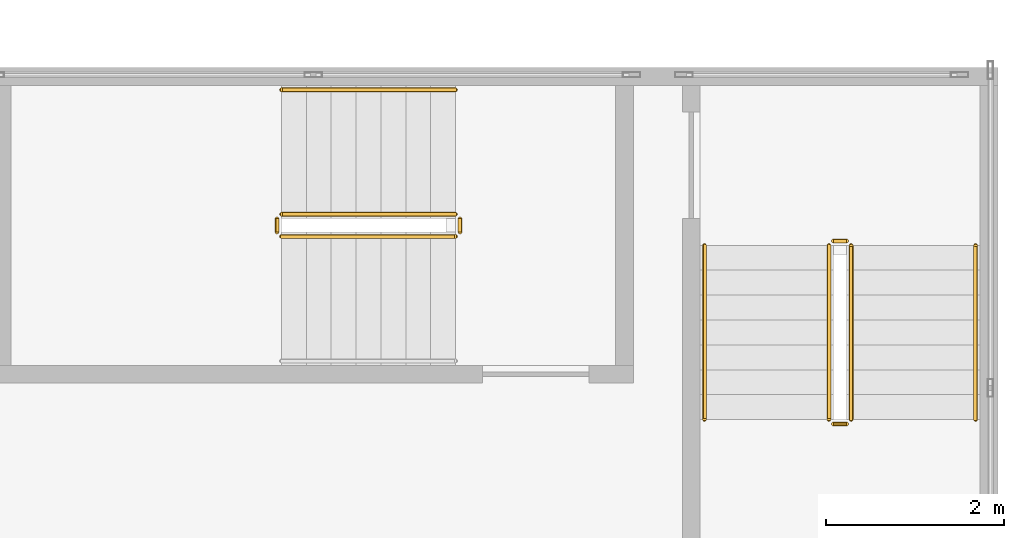
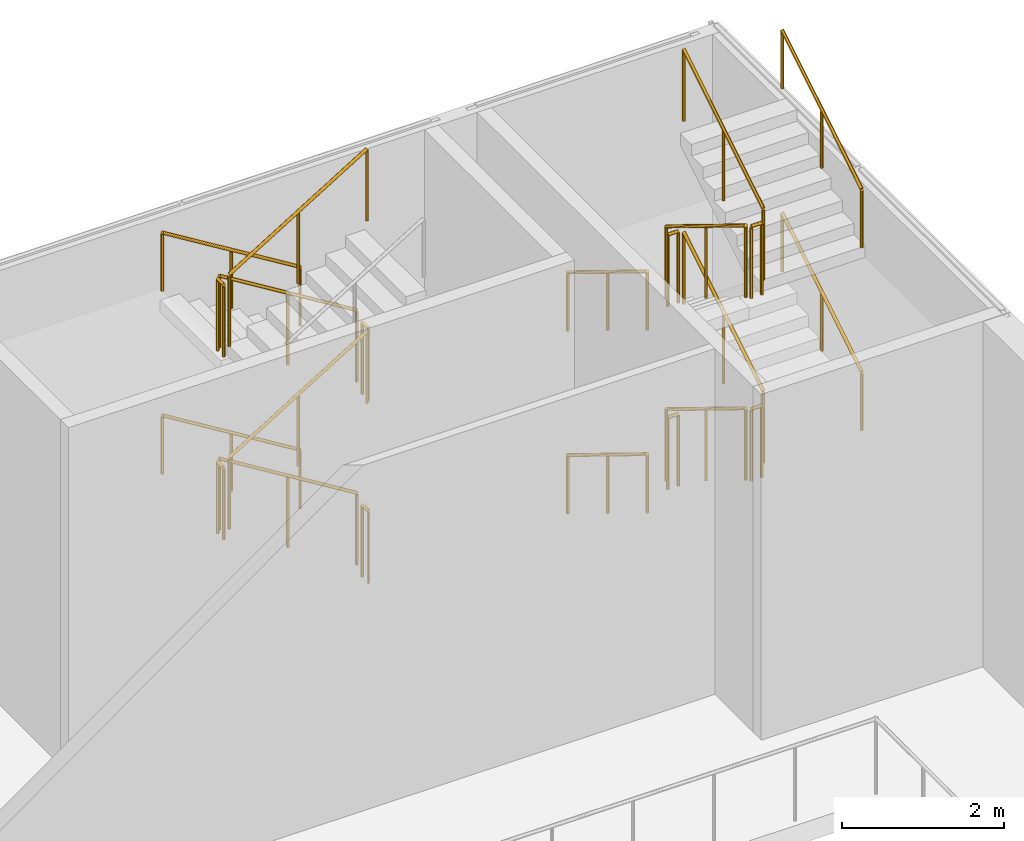
# One storey, part 23 of 23: 22 railings.
"""IFC4 building model written with IfcOpenShell, lengths in metres."""

from ifc_helpers import new_model, si_unit, direction, frame, origin, origin_2d, place, context, subcontext, project, spatial, circle, extrude, source, transform, mapped, material, type_object, element, save


model = new_model("IFC4")

# Units and contexts
model_context = context("Model", 3, precision=1e-05, world=origin(), true_north=direction((0.0, 1.0)))
body_context = subcontext(model_context, "Body", "Model", "MODEL_VIEW")
ifc_project = project(units=[si_unit("LENGTHUNIT", "METRE"), si_unit("AREAUNIT", "SQUARE_METRE"), si_unit("VOLUMEUNIT", "CUBIC_METRE"), si_unit("PLANEANGLEUNIT", "RADIAN"), si_unit("MASSUNIT", "GRAM", prefix="KILO")], contexts=[model_context])

# Site, building, storey
site_placement = place(None, origin())
site = spatial("IfcSite", under=ifc_project, at=site_placement, CompositionType="ELEMENT")
building_placement = place(site_placement, origin())
building = spatial("IfcBuilding", under=site, at=building_placement, Name="Khomas Fold Tower", CompositionType="ELEMENT")
storey_placement = place(building_placement, frame((0.0, 0.0, 13.0)))
storey = spatial("IfcBuildingStorey", under=building, at=storey_placement, Name="L02", CompositionType="ELEMENT", Elevation=13.0)

# Railings
ifc_material_1 = material(Name="Steel balustrade", Category="steel")
railing_type_1 = type_object("IfcRailingType", Name="Stair guard", PredefinedType="GUARDRAIL", material=ifc_material_1)
shared_shape_1 = source(origin(), body_context, "Body", "SweptSolid", [
    extrude(circle(Radius=0.02392578125, at=origin_2d()), frame((0.0, 0.0, 1.076171875), z_axis=(0.852240978134, 0.0, 0.523149419562), x_axis=(0.0, 1.0, 0.0)), (0.0, 0.0, 1.0), 2.2998046875),
    extrude(circle(Radius=0.02099609375, at=origin_2d()), origin(), (0.0, 0.0, 1.0), 1.052001953125),
    extrude(circle(Radius=0.02099609375, at=origin_2d()), frame((0.97998046875, 0.0, 0.6015625)), (0.0, 0.0, 1.0), 1.052001953125),
    extrude(circle(Radius=0.02099609375, at=origin_2d()), frame((1.9599609375, 0.0, 1.203125)), (0.0, 0.0, 1.0), 1.052001953125),
])
for number, where, name in (
    (1, (72.93994140625, 52.10009765625, 1.546875), "L02 PS5 stair guard 3"),
    (2, (72.93994140625, 52.10009765625, 4.296875), "L02 PS5 stair guard 7"),
):
    element("IfcRailing", number, at=place(storey_placement, frame(where)), inside=storey, type_object=railing_type_1, Name=name, PredefinedType="GUARDRAIL", context=body_context, shape_type="MappedRepresentation", body=[
        mapped(shared_shape_1, transform((0.0, 0.0, 0.0))),
    ])
shared_shape_2 = source(origin(), body_context, "Body", "SweptSolid", [
    extrude(circle(Radius=0.02392578125, at=origin_2d()), frame((0.0, 0.0, 1.076171875), z_axis=(-0.852240978134, 0.0, 0.523149419562), x_axis=(0.0, -1.0, 0.0)), (0.0, 0.0, 1.0), 2.2998046875),
    extrude(circle(Radius=0.02099609375, at=origin_2d()), origin(), (0.0, 0.0, 1.0), 1.052001953125),
    extrude(circle(Radius=0.02099609375, at=origin_2d()), frame((-0.97998046875, 0.0, 0.6015625)), (0.0, 0.0, 1.0), 1.052001953125),
    extrude(circle(Radius=0.02099609375, at=origin_2d()), frame((-1.9599609375, 0.0, 1.203125)), (0.0, 0.0, 1.0), 1.052001953125),
])
for number, where, name in (
    (3, (74.89990234375, 52.35009765625, 0.171875), "L02 PS5 stair guard 1"),
    (4, (74.89990234375, 52.35009765625, 2.921875), "L02 PS5 stair guard 5"),
):
    element("IfcRailing", number, at=place(storey_placement, frame(where)), inside=storey, type_object=railing_type_1, Name=name, PredefinedType="GUARDRAIL", context=body_context, shape_type="MappedRepresentation", body=[
        mapped(shared_shape_2, transform((0.0, 0.0, 0.0))),
    ])
ifc_material_2 = material(Name="Steel handrail", Category="steel")
railing_type_2 = type_object("IfcRailingType", Name="Stair handrail", PredefinedType="HANDRAIL", material=ifc_material_2)
shared_shape_3 = source(origin(), body_context, "Body", "SweptSolid", [
    extrude(circle(Radius=0.02392578125, at=origin_2d()), frame((0.0, 0.0, 0.8759765625), z_axis=(-0.852240978134, 0.0, 0.523149419562), x_axis=(0.0, -1.0, 0.0)), (0.0, 0.0, 1.0), 2.2998046875),
    extrude(circle(Radius=0.02099609375, at=origin_2d()), origin(), (0.0, 0.0, 1.0), 0.851806640625),
    extrude(circle(Radius=0.02099609375, at=origin_2d()), frame((-0.97998046875, 0.0, 0.6015625)), (0.0, 0.0, 1.0), 0.851806640625),
    extrude(circle(Radius=0.02099609375, at=origin_2d()), frame((-1.9599609375, 0.0, 1.203125)), (0.0, 0.0, 1.0), 0.851806640625),
])
for number, where, name in (
    (5, (74.89990234375, 53.75, 0.171875), "L02 PS5 stair handrail 1"),
    (6, (74.89990234375, 53.75, 2.921875), "L02 PS5 stair handrail 3"),
):
    element("IfcRailing", number, at=place(storey_placement, frame(where)), inside=storey, type_object=railing_type_2, Name=name, PredefinedType="HANDRAIL", context=body_context, shape_type="MappedRepresentation", body=[
        mapped(shared_shape_3, transform((0.0, 0.0, 0.0))),
    ])
shared_shape_4 = source(origin(), body_context, "Body", "SweptSolid", [
    extrude(circle(Radius=0.02392578125, at=origin_2d()), frame((0.0, 0.0, 1.076171875), z_axis=(0.0, 0.852240978134, 0.523149419562), x_axis=(-1.0, 0.0, 0.0)), (0.0, 0.0, 1.0), 2.2998046875),
    extrude(circle(Radius=0.02099609375, at=origin_2d()), origin(), (0.0, 0.0, 1.0), 1.052001953125),
    extrude(circle(Radius=0.02099609375, at=origin_2d()), frame((0.0, 0.97998046875, 0.6015625)), (0.0, 0.0, 1.0), 1.052001953125),
    extrude(circle(Radius=0.02099609375, at=origin_2d()), frame((0.0, 1.9599609375, 1.203125)), (0.0, 0.0, 1.0), 1.052001953125),
])
for number, where, name in (
    (7, (79.35009765625, 50.0400390625, 1.546875), "L02 PS6 stair guard 3"),
    (8, (79.35009765625, 50.0400390625, 4.296875), "L02 PS6 stair guard 7"),
):
    element("IfcRailing", number, at=place(storey_placement, frame(where)), inside=storey, type_object=railing_type_1, Name=name, PredefinedType="GUARDRAIL", context=body_context, shape_type="MappedRepresentation", body=[
        mapped(shared_shape_4, transform((0.0, 0.0, 0.0))),
    ])
shared_shape_5 = source(origin(), body_context, "Body", "SweptSolid", [
    extrude(circle(Radius=0.02392578125, at=origin_2d()), frame((0.0, 0.0, 1.076171875), z_axis=(0.0, -0.852240978134, 0.523149419562), x_axis=(1.0, 0.0, 0.0)), (0.0, 0.0, 1.0), 2.2998046875),
    extrude(circle(Radius=0.02099609375, at=origin_2d()), origin(), (0.0, 0.0, 1.0), 1.052001953125),
    extrude(circle(Radius=0.02099609375, at=origin_2d()), frame((0.0, -0.97998046875, 0.6015625)), (0.0, 0.0, 1.0), 1.052001953125),
    extrude(circle(Radius=0.02099609375, at=origin_2d()), frame((0.0, -1.9599609375, 1.203125)), (0.0, 0.0, 1.0), 1.052001953125),
])
for number, where, name in (
    (9, (79.10009765625, 52.0, 0.171875), "L02 PS6 stair guard 1"),
    (10, (79.10009765625, 52.0, 2.921875), "L02 PS6 stair guard 5"),
):
    element("IfcRailing", number, at=place(storey_placement, frame(where)), inside=storey, type_object=railing_type_1, Name=name, PredefinedType="GUARDRAIL", context=body_context, shape_type="MappedRepresentation", body=[
        mapped(shared_shape_5, transform((0.0, 0.0, 0.0))),
    ])
shared_shape_6 = source(origin(), body_context, "Body", "SweptSolid", [
    extrude(circle(Radius=0.02392578125, at=origin_2d()), frame((0.0, 0.0, 0.8759765625), z_axis=(0.0, 0.852240978134, 0.523149419562), x_axis=(-1.0, 0.0, 0.0)), (0.0, 0.0, 1.0), 2.2998046875),
    extrude(circle(Radius=0.02099609375, at=origin_2d()), origin(), (0.0, 0.0, 1.0), 0.851806640625),
    extrude(circle(Radius=0.02099609375, at=origin_2d()), frame((0.0, 0.97998046875, 0.6015625)), (0.0, 0.0, 1.0), 0.851806640625),
    extrude(circle(Radius=0.02099609375, at=origin_2d()), frame((0.0, 1.9599609375, 1.203125)), (0.0, 0.0, 1.0), 0.851806640625),
])
for number, where, name in (
    (11, (80.75, 50.0400390625, 1.546875), "L02 PS6 stair handrail 2"),
    (12, (80.75, 50.0400390625, 4.296875), "L02 PS6 stair handrail 4"),
):
    element("IfcRailing", number, at=place(storey_placement, frame(where)), inside=storey, type_object=railing_type_2, Name=name, PredefinedType="HANDRAIL", context=body_context, shape_type="MappedRepresentation", body=[
        mapped(shared_shape_6, transform((0.0, 0.0, 0.0))),
    ])
shared_shape_7 = source(origin(), body_context, "Body", "SweptSolid", [
    extrude(circle(Radius=0.02392578125, at=origin_2d()), frame((0.0, 0.0, 0.8759765625), z_axis=(0.0, -0.852240978134, 0.523149419562), x_axis=(1.0, 0.0, 0.0)), (0.0, 0.0, 1.0), 2.2998046875),
    extrude(circle(Radius=0.02099609375, at=origin_2d()), origin(), (0.0, 0.0, 1.0), 0.851806640625),
    extrude(circle(Radius=0.02099609375, at=origin_2d()), frame((0.0, -0.97998046875, 0.6015625)), (0.0, 0.0, 1.0), 0.851806640625),
    extrude(circle(Radius=0.02099609375, at=origin_2d()), frame((0.0, -1.9599609375, 1.203125)), (0.0, 0.0, 1.0), 0.851806640625),
])
for number, where, name in (
    (13, (77.699951171875, 52.0, 0.171875), "L02 PS6 stair handrail 1"),
    (14, (77.699951171875, 52.0, 2.921875), "L02 PS6 stair handrail 3"),
):
    element("IfcRailing", number, at=place(storey_placement, frame(where)), inside=storey, type_object=railing_type_2, Name=name, PredefinedType="HANDRAIL", context=body_context, shape_type="MappedRepresentation", body=[
        mapped(shared_shape_7, transform((0.0, 0.0, 0.0))),
    ])
shared_shape_8 = source(origin(), body_context, "Body", "SweptSolid", [
    extrude(circle(Radius=0.02392578125, at=origin_2d()), frame((0.0, 0.0, 1.076171875), z_axis=(0.0, -1.0, 0.0), x_axis=(1.0, 0.0, 0.0)), (0.0, 0.0, 1.0), 0.150146484375),
    extrude(circle(Radius=0.02099609375, at=origin_2d()), origin(), (0.0, 0.0, 1.0), 1.052001953125),
    extrude(circle(Radius=0.02099609375, at=origin_2d()), frame((0.0, -0.150146484375, 0.0)), (0.0, 0.0, 1.0), 1.052001953125),
])
for number, where, name in (
    (15, (72.889892578125, 52.300048828125, 1.375), "L02 PS5 stair guard 2"),
    (16, (74.949951171875, 52.300048828125, 2.75), "L02 PS5 stair guard 4"),
    (17, (72.889892578125, 52.300048828125, 4.125), "L02 PS5 stair guard 6"),
    (18, (74.949951171875, 52.300048828125, 0.0), "L02 PS5 stair guard 8"),
):
    element("IfcRailing", number, at=place(storey_placement, frame(where)), inside=storey, type_object=railing_type_1, Name=name, PredefinedType="GUARDRAIL", context=body_context, shape_type="MappedRepresentation", body=[
        mapped(shared_shape_8, transform((0.0, 0.0, 0.0))),
    ])
shared_shape_9 = source(origin(), body_context, "Body", "SweptSolid", [
    extrude(circle(Radius=0.02392578125, at=origin_2d()), frame((0.0, 0.0, 1.076171875), z_axis=(1.0, 0.0, 0.0), x_axis=(0.0, 1.0, 0.0)), (0.0, 0.0, 1.0), 0.150146484375),
    extrude(circle(Radius=0.02099609375, at=origin_2d()), origin(), (0.0, 0.0, 1.0), 1.052001953125),
    extrude(circle(Radius=0.02099609375, at=origin_2d()), frame((0.150146484375, 0.0, 0.0)), (0.0, 0.0, 1.0), 1.052001953125),
])
for number, where, name in (
    (19, (79.14990234375, 49.989990234375, 1.375), "L02 PS6 stair guard 2"),
    (20, (79.14990234375, 52.050048828125, 2.75), "L02 PS6 stair guard 4"),
    (21, (79.14990234375, 49.989990234375, 4.125), "L02 PS6 stair guard 6"),
    (22, (79.14990234375, 52.050048828125, 0.0), "L02 PS6 stair guard 8"),
):
    element("IfcRailing", number, at=place(storey_placement, frame(where)), inside=storey, type_object=railing_type_1, Name=name, PredefinedType="GUARDRAIL", context=body_context, shape_type="MappedRepresentation", body=[
        mapped(shared_shape_9, transform((0.0, 0.0, 0.0))),
    ])

save(model, "model.ifc")
